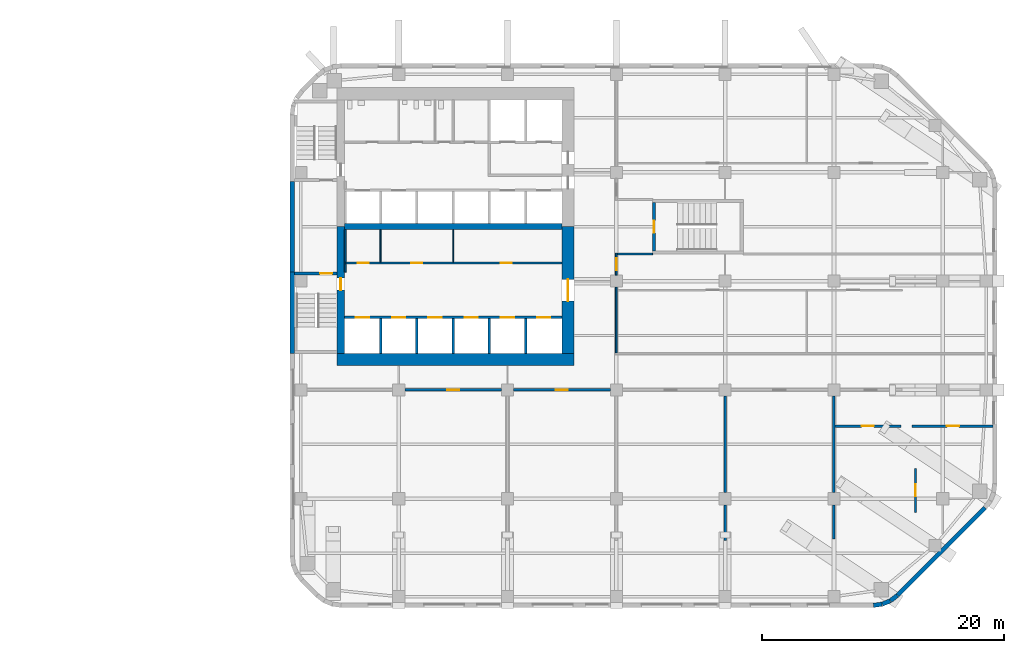
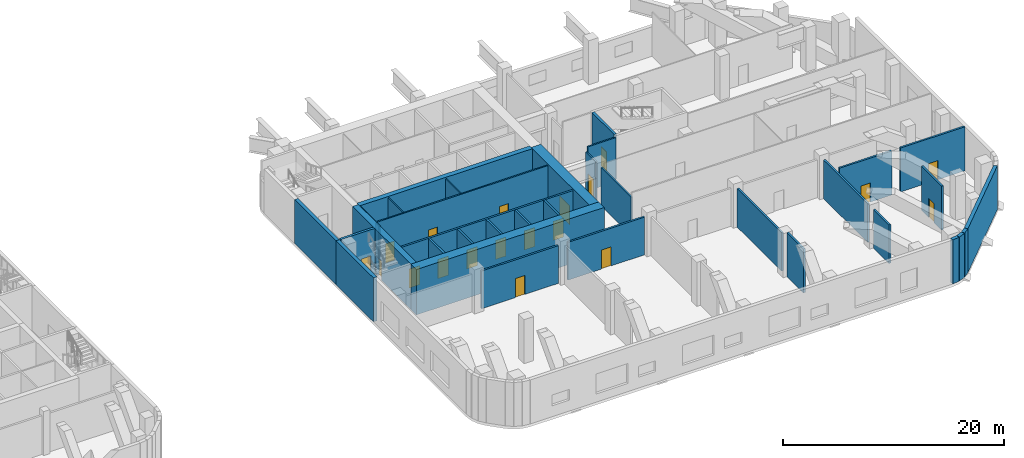
# One storey, part 8 of 14: 35 walls, 19 doors, 19 openings.
"""IFC4 building model written with IfcOpenShell, lengths in metres."""

from ifc_helpers import new_model, si_unit, direction, frame, frame_2d, origin, place, context, subcontext, project, spatial, rectangle, extrude, material, layer, layer_set, type_object, element, fill, save


model = new_model("IFC4")

# Units and contexts
model_context = context("Model", 3, precision=1e-05, world=origin(), true_north=direction((0.0, 1.0)))
body_context = subcontext(model_context, "Body", "Model", "MODEL_VIEW")
ifc_project = project(units=[si_unit("LENGTHUNIT", "METRE"), si_unit("AREAUNIT", "SQUARE_METRE"), si_unit("VOLUMEUNIT", "CUBIC_METRE"), si_unit("PLANEANGLEUNIT", "RADIAN"), si_unit("MASSUNIT", "GRAM", prefix="KILO")], contexts=[model_context])

# Site, building, storey
site_placement = place(None, origin())
site = spatial("IfcSite", under=ifc_project, at=site_placement, CompositionType="ELEMENT")
building_placement = place(site_placement, origin())
building = spatial("IfcBuilding", under=site, at=building_placement, Name="Cinnabar Reach Civic Tower", CompositionType="ELEMENT")
storey_placement = place(building_placement, frame((0.0, 0.0, 95.0)))
storey = spatial("IfcBuildingStorey", under=building, at=storey_placement, Name="L22", CompositionType="ELEMENT", Elevation=95.0)

# Walls
ifc_material_1 = material(Name="Facing brick with insulated backing", Category="masonry")
ifc_layer_1 = layer(ifc_material_1, 0.36)
ifc_layer_set_1 = layer_set([ifc_layer_1], Name="Brick corner wall")
wall_type_1 = type_object("IfcWallType", Name="Brick corner wall", PredefinedType="STANDARD", material=ifc_layer_set_1)
for number, where, z_axis, x_axis, name in (
    (1, (48.2686, 0.183, 0.0), (0.0, 0.0, 1.0), (0.99144092581, 0.13055608231, 0.0), "Brick corner wall"),
    (2, (48.9973, 0.2819, 0.0), (0.0, 0.0, 1.0), (0.923871547278, 0.382702709855, 0.0), "Brick corner wall"),
):
    element("IfcWall", number, at=place(storey_placement, frame(where, z_axis=z_axis, x_axis=x_axis)), inside=storey, type_object=wall_type_1, Name=name, PredefinedType="STANDARD", context=body_context, shape_type="SweptSolid", body=[
        extrude(rectangle(XDim=0.7131, YDim=0.36, at=frame_2d((0.3565, 0.0))), origin(), (0.0, 0.0, 1.0), 4.85),
    ])
wall_1_placement = place(storey_placement, frame((49.6755, 0.566, 0.0), z_axis=(0.0, 0.0, 1.0), x_axis=(0.793321924995, 0.608802368033, 0.0)))
element("IfcWall", 3, at=wall_1_placement, inside=storey, type_object=wall_type_1, Name="Brick corner wall", PredefinedType="STANDARD", context=body_context, shape_type="SweptSolid", body=[
    extrude(rectangle(XDim=0.7132, YDim=0.36, at=frame_2d((0.3566, 0.0))), origin(), (0.0, 0.0, 1.0), 4.85),
])
ifc_layer_2 = layer(ifc_material_1, 0.36)
ifc_layer_set_2 = layer_set([ifc_layer_2], Name="Brick pier and spandrel wall")
wall_type_2 = type_object("IfcWallType", Name="Brick pier and spandrel wall", PredefinedType="STANDARD", material=ifc_layer_set_2)
wall_2_placement = place(storey_placement, frame((50.2514, 1.006, 0.0), z_axis=(0.0, 0.0, 1.0), x_axis=(0.707106781187, 0.707106781187, 0.0)))
element("IfcWall", 4, at=wall_2_placement, inside=storey, type_object=wall_type_2, Name="Brick facade wall", PredefinedType="STANDARD", context=body_context, shape_type="SweptSolid", body=[
    extrude(rectangle(XDim=10.2426, YDim=0.36, at=frame_2d((5.1213, 0.0))), origin(), (0.0, 0.0, 1.0), 4.85),
])
wall_3_placement = place(storey_placement, frame((0.18, 35.25, 0.0), z_axis=(0.0, 0.0, 1.0), x_axis=(0.0, -1.0, 0.0)))
element("IfcWall", 5, at=wall_3_placement, inside=storey, type_object=wall_type_2, Name="Brick facade wall", PredefinedType="STANDARD", context=body_context, shape_type="SweptSolid", body=[
    extrude(rectangle(XDim=7.5, YDim=0.36, at=frame_2d((3.75, 0.0))), origin(), (0.0, 0.0, 1.0), 4.85),
])
wall_4_placement = place(storey_placement, frame((0.18, 27.75, 0.0), z_axis=(0.0, 0.0, 1.0), x_axis=(0.0, -1.0, 0.0)))
element("IfcWall", 6, at=wall_4_placement, inside=storey, type_object=wall_type_2, Name="Brick facade wall", PredefinedType="STANDARD", context=body_context, shape_type="SweptSolid", body=[
    extrude(rectangle(XDim=6.75, YDim=0.36, at=frame_2d((3.375, 0.0))), origin(), (0.0, 0.0, 1.0), 4.85),
])
ifc_material_2 = material(Name="Concrete C70", Category="concrete")
ifc_layer_3 = layer(ifc_material_2, 1.0)
ifc_layer_set_3 = layer_set([ifc_layer_3], Name="Core wall 1000 EI 180")
wall_type_3 = type_object("IfcWallType", Name="Core wall 1000 EI 180", PredefinedType="SOLIDWALL", material=ifc_layer_set_3)
wall_5_placement = place(storey_placement, frame((3.9, 20.5, 0.0), z_axis=(0.0, 0.0, 1.0), x_axis=(1.0, 0.0, 0.0)))
element("IfcWall", 7, at=wall_5_placement, inside=storey, type_object=wall_type_3, Name="Core wall T1 L22 S", PredefinedType="SOLIDWALL", context=body_context, shape_type="SweptSolid", body=[
    extrude(rectangle(XDim=19.6, YDim=1.0, at=frame_2d((9.8, 0.0))), origin(), (0.0, 0.0, 1.0), 5.0),
])

# Wall, opening, door
wall_6_placement = place(storey_placement, frame((23.0, 21.0, 0.0), z_axis=(0.0, 0.0, 1.0), x_axis=(0.0, 1.0, 0.0)))
wall_6 = element("IfcWall", 8, at=wall_6_placement, inside=storey, type_object=wall_type_3, Name="Core wall T1 L22 E", PredefinedType="SOLIDWALL", context=body_context, shape_type="SweptSolid", body=[
    extrude(rectangle(XDim=10.5, YDim=1.0, at=frame_2d((5.25, 0.0))), origin(), (0.0, 0.0, 1.0), 5.0),
])
opening_1_placement = place(wall_6_placement, frame((4.35, 0.0, 0.0)))
opening_1 = element("IfcOpeningElement", 9, at=opening_1_placement, cuts=wall_6, Name="Opening D3892", PredefinedType="OPENING", context=body_context, shape_type="SweptSolid", body=[
    extrude(rectangle(XDim=1.8, YDim=2.1, at=frame_2d((0.9, 1.05))), frame((0.0, 0.51, 0.0), z_axis=(0.0, -1.0, 0.0), x_axis=(1.0, 0.0, 0.0)), (0.0, 0.0, 1.0), 1.02),
])
ifc_material_3 = material(Name="Timber door leaf in steel frame", Category="steel")
door_type_1 = type_object("IfcDoorType", Name="Double swing door 1800 x 2100 T1", OperationType="DOUBLE_DOOR_DOUBLE_SWING", PredefinedType="DOOR", material=ifc_material_3)
door_1_placement = place(opening_1_placement, origin())
door_1 = element("IfcDoor", 10, at=door_1_placement, inside=storey, type_object=door_type_1, Name="Door D3892", OperationType="DOUBLE_DOOR_DOUBLE_SWING", OverallHeight=2.1, OverallWidth=1.8, PredefinedType="DOOR", context=body_context, shape_type="SweptSolid", body=[
    extrude(rectangle(XDim=1.8, YDim=2.1, at=frame_2d((0.9, 1.05))), frame((0.0, 0.025, 0.0), z_axis=(0.0, -1.0, 0.0), x_axis=(1.0, 0.0, 0.0)), (0.0, 0.0, 1.0), 0.05),
])
fill(opening_1, door_1)

# Wall
ifc_material_4 = material(Name="Concrete C60", Category="concrete")
ifc_layer_4 = layer(ifc_material_4, 0.5)
ifc_layer_set_4 = layer_set([ifc_layer_4], Name="Core wall 500 EI 180")
wall_type_4 = type_object("IfcWallType", Name="Core wall 500 EI 180", PredefinedType="SOLIDWALL", material=ifc_layer_set_4)
wall_7_placement = place(storey_placement, frame((4.5, 31.5, 0.0), z_axis=(0.0, 0.0, 1.0), x_axis=(1.0, 0.0, 0.0)))
element("IfcWall", 11, at=wall_7_placement, inside=storey, type_object=wall_type_4, Name="Core spine wall T1 L22", PredefinedType="SOLIDWALL", context=body_context, shape_type="SweptSolid", body=[
    extrude(rectangle(XDim=18.0, YDim=0.5, at=frame_2d((9.0, 0.0))), origin(), (0.0, 0.0, 1.0), 5.0),
])

# Wall, opening, door
ifc_layer_5 = layer(ifc_material_2, 0.6)
ifc_layer_set_5 = layer_set([ifc_layer_5], Name="Core wall 600 EI 180")
wall_type_5 = type_object("IfcWallType", Name="Core wall 600 EI 180", PredefinedType="SOLIDWALL", material=ifc_layer_set_5)
wall_8_placement = place(storey_placement, frame((4.2, 31.5, 0.0), z_axis=(0.0, 0.0, 1.0), x_axis=(0.0, -1.0, 0.0)))
wall_8 = element("IfcWall", 12, at=wall_8_placement, inside=storey, type_object=wall_type_5, Name="Core wall T1 L22 W2", PredefinedType="SOLIDWALL", context=body_context, shape_type="SweptSolid", body=[
    extrude(rectangle(XDim=10.5, YDim=0.6, at=frame_2d((5.25, 0.0))), origin(), (0.0, 0.0, 1.0), 5.0),
])
opening_2_placement = place(wall_8_placement, frame((4.25, 0.0, 0.0)))
opening_2 = element("IfcOpeningElement", 13, at=opening_2_placement, cuts=wall_8, Name="Opening D3876", PredefinedType="OPENING", context=body_context, shape_type="SweptSolid", body=[
    extrude(rectangle(XDim=1.0, YDim=2.1, at=frame_2d((0.5, 1.05))), frame((0.0, 0.31, 0.0), z_axis=(0.0, -1.0, 0.0), x_axis=(1.0, 0.0, 0.0)), (0.0, 0.0, 1.0), 0.62),
])
door_type_2 = type_object("IfcDoorType", Name="Stair door 1000 x 2100 T1", OperationType="SINGLE_SWING_LEFT", PredefinedType="DOOR", material=ifc_material_3)
door_2_placement = place(opening_2_placement, frame((1.0, 0.0, 0.0), z_axis=(0.0, 0.0, 1.0), x_axis=(-1.0, 0.0, 0.0)))
door_2 = element("IfcDoor", 14, at=door_2_placement, inside=storey, type_object=door_type_2, Name="Door D3876", OperationType="SINGLE_SWING_RIGHT", OverallHeight=2.1, OverallWidth=1.0, PredefinedType="DOOR", context=body_context, shape_type="SweptSolid", body=[
    extrude(rectangle(XDim=1.0, YDim=2.1, at=frame_2d((0.5, 1.05))), frame((0.0, 0.025, 0.0), z_axis=(0.0, -1.0, 0.0), x_axis=(1.0, 0.0, 0.0)), (0.0, 0.0, 1.0), 0.05),
])
fill(opening_2, door_2)

# Wall, openings, doors
ifc_material_5 = material(Name="Gypsum board on steel studs, double layer", Category="steel")
ifc_layer_6 = layer(ifc_material_5, 0.15)
ifc_layer_set_6 = layer_set([ifc_layer_6], Name="Corridor wall 150 T1")
wall_type_6 = type_object("IfcWallType", Name="Corridor wall 150 T1", PredefinedType="PARTITIONING", material=ifc_layer_set_6)
wall_9_placement = place(storey_placement, frame((4.5, 28.5, 0.0), z_axis=(0.0, 0.0, 1.0), x_axis=(1.0, 0.0, 0.0)))
wall_9 = element("IfcWall", 15, at=wall_9_placement, inside=storey, type_object=wall_type_6, Name="Corridor wall 37", PredefinedType="PARTITIONING", context=body_context, shape_type="SweptSolid", body=[
    extrude(rectangle(XDim=18.0, YDim=0.15, at=frame_2d((9.0, 0.0))), origin(), (0.0, 0.0, 1.0), 4.85),
])
opening_3_placement = place(wall_9_placement, frame((1.1, 0.0, 0.0)))
opening_3 = element("IfcOpeningElement", 16, at=opening_3_placement, cuts=wall_9, Name="Opening D3896", PredefinedType="OPENING", context=body_context, shape_type="SweptSolid", body=[
    extrude(rectangle(XDim=0.9, YDim=2.1, at=frame_2d((0.45, 1.05))), frame((0.0, 0.085, 0.0), z_axis=(0.0, -1.0, 0.0), x_axis=(1.0, 0.0, 0.0)), (0.0, 0.0, 1.0), 0.17),
])
opening_4_placement = place(wall_9_placement, frame((5.55, 0.0, 0.0)))
opening_4 = element("IfcOpeningElement", 17, at=opening_4_placement, cuts=wall_9, Name="Opening D3897", PredefinedType="OPENING", context=body_context, shape_type="SweptSolid", body=[
    extrude(rectangle(XDim=0.9, YDim=2.1, at=frame_2d((0.45, 1.05))), frame((0.0, 0.085, 0.0), z_axis=(0.0, -1.0, 0.0), x_axis=(1.0, 0.0, 0.0)), (0.0, 0.0, 1.0), 0.17),
])
opening_5_placement = place(wall_9_placement, frame((12.95, 0.0, 0.0)))
opening_5 = element("IfcOpeningElement", 18, at=opening_5_placement, cuts=wall_9, Name="Opening D3898", PredefinedType="OPENING", context=body_context, shape_type="SweptSolid", body=[
    extrude(rectangle(XDim=0.9, YDim=2.1, at=frame_2d((0.45, 1.05))), frame((0.0, 0.085, 0.0), z_axis=(0.0, -1.0, 0.0), x_axis=(1.0, 0.0, 0.0)), (0.0, 0.0, 1.0), 0.17),
])
door_type_3 = type_object("IfcDoorType", Name="Single swing door 900 x 2100 corridor T1", OperationType="SINGLE_SWING_LEFT", PredefinedType="DOOR", material=ifc_material_3)
door_3_placement = place(opening_3_placement, origin())
door_3 = element("IfcDoor", 19, at=door_3_placement, inside=storey, type_object=door_type_3, Name="Door D3896", OperationType="SINGLE_SWING_LEFT", OverallHeight=2.1, OverallWidth=0.9, PredefinedType="DOOR", context=body_context, shape_type="SweptSolid", body=[
    extrude(rectangle(XDim=0.9, YDim=2.1, at=frame_2d((0.45, 1.05))), frame((0.0, 0.025, 0.0), z_axis=(0.0, -1.0, 0.0), x_axis=(1.0, 0.0, 0.0)), (0.0, 0.0, 1.0), 0.05),
])
fill(opening_3, door_3)
door_4_placement = place(opening_4_placement, origin())
door_4 = element("IfcDoor", 20, at=door_4_placement, inside=storey, type_object=door_type_3, Name="Door D3897", OperationType="SINGLE_SWING_LEFT", OverallHeight=2.1, OverallWidth=0.9, PredefinedType="DOOR", context=body_context, shape_type="SweptSolid", body=[
    extrude(rectangle(XDim=0.9, YDim=2.1, at=frame_2d((0.45, 1.05))), frame((0.0, 0.025, 0.0), z_axis=(0.0, -1.0, 0.0), x_axis=(1.0, 0.0, 0.0)), (0.0, 0.0, 1.0), 0.05),
])
fill(opening_4, door_4)
door_5_placement = place(opening_5_placement, origin())
door_5 = element("IfcDoor", 21, at=door_5_placement, inside=storey, type_object=door_type_3, Name="Door D3898", OperationType="SINGLE_SWING_LEFT", OverallHeight=2.1, OverallWidth=0.9, PredefinedType="DOOR", context=body_context, shape_type="SweptSolid", body=[
    extrude(rectangle(XDim=0.9, YDim=2.1, at=frame_2d((0.45, 1.05))), frame((0.0, 0.025, 0.0), z_axis=(0.0, -1.0, 0.0), x_axis=(1.0, 0.0, 0.0)), (0.0, 0.0, 1.0), 0.05),
])
fill(opening_5, door_5)

# Wall
wall_10_placement = place(storey_placement, frame((27.0, 21.075, 0.0), z_axis=(0.0, 0.0, 1.0), x_axis=(0.0, 1.0, 0.0)))
element("IfcWall", 22, at=wall_10_placement, inside=storey, type_object=wall_type_6, Name="Corridor wall 41", PredefinedType="PARTITIONING", context=body_context, shape_type="SweptSolid", body=[
    extrude(rectangle(XDim=5.425, YDim=0.15, at=frame_2d((2.7125, 0.0))), origin(), (0.0, 0.0, 1.0), 4.256),
])

# Wall, opening, door
wall_11_placement = place(storey_placement, frame((27.0, 27.5, 0.0), z_axis=(0.0, 0.0, 1.0), x_axis=(0.0, 1.0, 0.0)))
wall_11 = element("IfcWall", 23, at=wall_11_placement, inside=storey, type_object=wall_type_6, Name="Corridor wall 42", PredefinedType="PARTITIONING", context=body_context, shape_type="SweptSolid", body=[
    extrude(rectangle(XDim=1.825, YDim=0.15, at=frame_2d((0.9125, 0.0))), origin(), (0.0, 0.0, 1.0), 4.256),
])
opening_6_placement = place(wall_11_placement, frame((0.4, 0.0, 0.0)))
opening_6 = element("IfcOpeningElement", 24, at=opening_6_placement, cuts=wall_11, Name="Opening D3906", PredefinedType="OPENING", context=body_context, shape_type="SweptSolid", body=[
    extrude(rectangle(XDim=1.0, YDim=2.1, at=frame_2d((0.5, 1.05))), frame((0.0, 0.085, 0.0), z_axis=(0.0, -1.0, 0.0), x_axis=(1.0, 0.0, 0.0)), (0.0, 0.0, 1.0), 0.17),
])
door_type_4 = type_object("IfcDoorType", Name="Plant room door 1000 x 2100 T1", OperationType="SINGLE_SWING_LEFT", PredefinedType="DOOR", material=ifc_material_3)
door_6_placement = place(opening_6_placement, frame((1.0, 0.0, 0.0), z_axis=(0.0, 0.0, 1.0), x_axis=(-1.0, 0.0, 0.0)))
door_6 = element("IfcDoor", 25, at=door_6_placement, inside=storey, type_object=door_type_4, Name="Door D3906", OperationType="SINGLE_SWING_LEFT", OverallHeight=2.1, OverallWidth=1.0, PredefinedType="DOOR", context=body_context, shape_type="SweptSolid", body=[
    extrude(rectangle(XDim=1.0, YDim=2.1, at=frame_2d((0.5, 1.05))), frame((0.0, 0.025, 0.0), z_axis=(0.0, -1.0, 0.0), x_axis=(1.0, 0.0, 0.0)), (0.0, 0.0, 1.0), 0.05),
])
fill(opening_6, door_6)

# Walls
wall_12_placement = place(storey_placement, frame((4.575, 27.75, 0.0), z_axis=(0.0, 0.0, 1.0), x_axis=(0.0, 1.0, 0.0)))
element("IfcWall", 26, at=wall_12_placement, inside=storey, type_object=wall_type_6, Name="Corridor wall 43", PredefinedType="PARTITIONING", context=body_context, shape_type="SweptSolid", body=[
    extrude(rectangle(XDim=0.675, YDim=0.15, at=frame_2d((0.3375, 0.0))), origin(), (0.0, 0.0, 1.0), 4.85),
])
wall_13_placement = place(storey_placement, frame((4.575, 28.575, 0.0), z_axis=(0.0, 0.0, 1.0), x_axis=(0.0, 1.0, 0.0)))
element("IfcWall", 27, at=wall_13_placement, inside=storey, type_object=wall_type_6, Name="Corridor wall 44", PredefinedType="PARTITIONING", context=body_context, shape_type="SweptSolid", body=[
    extrude(rectangle(XDim=2.675, YDim=0.15, at=frame_2d((1.3375, 0.0))), origin(), (0.0, 0.0, 1.0), 4.85),
])
wall_14_placement = place(storey_placement, frame((27.075, 29.25, 0.0), z_axis=(0.0, 0.0, 1.0), x_axis=(1.0, 0.0, 0.0)))
element("IfcWall", 28, at=wall_14_placement, inside=storey, type_object=wall_type_6, Name="Corridor wall 45", PredefinedType="PARTITIONING", context=body_context, shape_type="SweptSolid", body=[
    extrude(rectangle(XDim=2.925, YDim=0.15, at=frame_2d((1.4625, 0.0))), origin(), (0.0, 0.0, 1.0), 4.85),
])

# Wall, openings, doors
ifc_material_6 = material(Name="Blockwork", Category="masonry")
ifc_layer_7 = layer(ifc_material_6, 0.2)
ifc_layer_set_7 = layer_set([ifc_layer_7], Name="Lift shaft wall 200 T1")
wall_type_7 = type_object("IfcWallType", Name="Lift shaft wall 200 T1", PredefinedType="PARTITIONING", material=ifc_layer_set_7)
wall_15_placement = place(storey_placement, frame((4.5, 24.0, 0.0), z_axis=(0.0, 0.0, 1.0), x_axis=(1.0, 0.0, 0.0)))
wall_15 = element("IfcWall", 29, at=wall_15_placement, inside=storey, type_object=wall_type_7, Name="Lift shaft wall 21", PredefinedType="PARTITIONING", context=body_context, shape_type="SweptSolid", body=[
    extrude(rectangle(XDim=18.0, YDim=0.2, at=frame_2d((9.0, 0.0))), origin(), (0.0, 0.0, 1.0), 4.85),
])
opening_7_placement = place(wall_15_placement, frame((0.95, 0.0, 0.0)))
opening_7 = element("IfcOpeningElement", 30, at=opening_7_placement, cuts=wall_15, Name="Opening D3880", PredefinedType="OPENING", context=body_context, shape_type="SweptSolid", body=[
    extrude(rectangle(XDim=1.1, YDim=2.1, at=frame_2d((0.55, 1.05))), frame((0.0, 0.11, 0.0), z_axis=(0.0, -1.0, 0.0), x_axis=(1.0, 0.0, 0.0)), (0.0, 0.0, 1.0), 0.22),
])
opening_8_placement = place(wall_15_placement, frame((3.95, 0.0, 0.0)))
opening_8 = element("IfcOpeningElement", 31, at=opening_8_placement, cuts=wall_15, Name="Opening D3881", PredefinedType="OPENING", context=body_context, shape_type="SweptSolid", body=[
    extrude(rectangle(XDim=1.1, YDim=2.1, at=frame_2d((0.55, 1.05))), frame((0.0, 0.11, 0.0), z_axis=(0.0, -1.0, 0.0), x_axis=(1.0, 0.0, 0.0)), (0.0, 0.0, 1.0), 0.22),
])
opening_9_placement = place(wall_15_placement, frame((6.95, 0.0, 0.0)))
opening_9 = element("IfcOpeningElement", 32, at=opening_9_placement, cuts=wall_15, Name="Opening D3882", PredefinedType="OPENING", context=body_context, shape_type="SweptSolid", body=[
    extrude(rectangle(XDim=1.1, YDim=2.1, at=frame_2d((0.55, 1.05))), frame((0.0, 0.11, 0.0), z_axis=(0.0, -1.0, 0.0), x_axis=(1.0, 0.0, 0.0)), (0.0, 0.0, 1.0), 0.22),
])
opening_10_placement = place(wall_15_placement, frame((9.95, 0.0, 0.0)))
opening_10 = element("IfcOpeningElement", 33, at=opening_10_placement, cuts=wall_15, Name="Opening D3883", PredefinedType="OPENING", context=body_context, shape_type="SweptSolid", body=[
    extrude(rectangle(XDim=1.1, YDim=2.1, at=frame_2d((0.55, 1.05))), frame((0.0, 0.11, 0.0), z_axis=(0.0, -1.0, 0.0), x_axis=(1.0, 0.0, 0.0)), (0.0, 0.0, 1.0), 0.22),
])
opening_11_placement = place(wall_15_placement, frame((12.95, 0.0, 0.0)))
opening_11 = element("IfcOpeningElement", 34, at=opening_11_placement, cuts=wall_15, Name="Opening D3884", PredefinedType="OPENING", context=body_context, shape_type="SweptSolid", body=[
    extrude(rectangle(XDim=1.1, YDim=2.1, at=frame_2d((0.55, 1.05))), frame((0.0, 0.11, 0.0), z_axis=(0.0, -1.0, 0.0), x_axis=(1.0, 0.0, 0.0)), (0.0, 0.0, 1.0), 0.22),
])
opening_12_placement = place(wall_15_placement, frame((15.95, 0.0, 0.0)))
opening_12 = element("IfcOpeningElement", 35, at=opening_12_placement, cuts=wall_15, Name="Opening D3885", PredefinedType="OPENING", context=body_context, shape_type="SweptSolid", body=[
    extrude(rectangle(XDim=1.1, YDim=2.1, at=frame_2d((0.55, 1.05))), frame((0.0, 0.11, 0.0), z_axis=(0.0, -1.0, 0.0), x_axis=(1.0, 0.0, 0.0)), (0.0, 0.0, 1.0), 0.22),
])
ifc_material_7 = material(Name="Stainless steel sliding door", Category="steel")
door_type_5 = type_object("IfcDoorType", Name="Lift landing door 1100 x 2100 T1", OperationType="SLIDING_TO_LEFT", PredefinedType="DOOR", material=ifc_material_7)
door_7_placement = place(opening_7_placement, origin())
door_7 = element("IfcDoor", 36, at=door_7_placement, inside=storey, type_object=door_type_5, Name="Lift landing door LR1 L22", OperationType="SLIDING_TO_LEFT", OverallHeight=2.1, OverallWidth=1.1, PredefinedType="DOOR", context=body_context, shape_type="SweptSolid", body=[
    extrude(rectangle(XDim=1.1, YDim=2.1, at=frame_2d((0.55, 1.05))), frame((0.0, 0.025, 0.0), z_axis=(0.0, -1.0, 0.0), x_axis=(1.0, 0.0, 0.0)), (0.0, 0.0, 1.0), 0.05),
])
fill(opening_7, door_7)
door_8_placement = place(opening_8_placement, origin())
door_8 = element("IfcDoor", 37, at=door_8_placement, inside=storey, type_object=door_type_5, Name="Lift landing door LR2 L22", OperationType="SLIDING_TO_LEFT", OverallHeight=2.1, OverallWidth=1.1, PredefinedType="DOOR", context=body_context, shape_type="SweptSolid", body=[
    extrude(rectangle(XDim=1.1, YDim=2.1, at=frame_2d((0.55, 1.05))), frame((0.0, 0.025, 0.0), z_axis=(0.0, -1.0, 0.0), x_axis=(1.0, 0.0, 0.0)), (0.0, 0.0, 1.0), 0.05),
])
fill(opening_8, door_8)
door_9_placement = place(opening_9_placement, origin())
door_9 = element("IfcDoor", 38, at=door_9_placement, inside=storey, type_object=door_type_5, Name="Lift landing door LR3 L22", OperationType="SLIDING_TO_LEFT", OverallHeight=2.1, OverallWidth=1.1, PredefinedType="DOOR", context=body_context, shape_type="SweptSolid", body=[
    extrude(rectangle(XDim=1.1, YDim=2.1, at=frame_2d((0.55, 1.05))), frame((0.0, 0.025, 0.0), z_axis=(0.0, -1.0, 0.0), x_axis=(1.0, 0.0, 0.0)), (0.0, 0.0, 1.0), 0.05),
])
fill(opening_9, door_9)
door_10_placement = place(opening_10_placement, origin())
door_10 = element("IfcDoor", 39, at=door_10_placement, inside=storey, type_object=door_type_5, Name="Lift landing door LR4 L22", OperationType="SLIDING_TO_LEFT", OverallHeight=2.1, OverallWidth=1.1, PredefinedType="DOOR", context=body_context, shape_type="SweptSolid", body=[
    extrude(rectangle(XDim=1.1, YDim=2.1, at=frame_2d((0.55, 1.05))), frame((0.0, 0.025, 0.0), z_axis=(0.0, -1.0, 0.0), x_axis=(1.0, 0.0, 0.0)), (0.0, 0.0, 1.0), 0.05),
])
fill(opening_10, door_10)
door_11_placement = place(opening_11_placement, origin())
door_11 = element("IfcDoor", 40, at=door_11_placement, inside=storey, type_object=door_type_5, Name="Lift landing door LR5 L22", OperationType="SLIDING_TO_LEFT", OverallHeight=2.1, OverallWidth=1.1, PredefinedType="DOOR", context=body_context, shape_type="SweptSolid", body=[
    extrude(rectangle(XDim=1.1, YDim=2.1, at=frame_2d((0.55, 1.05))), frame((0.0, 0.025, 0.0), z_axis=(0.0, -1.0, 0.0), x_axis=(1.0, 0.0, 0.0)), (0.0, 0.0, 1.0), 0.05),
])
fill(opening_11, door_11)
door_12_placement = place(opening_12_placement, origin())
door_12 = element("IfcDoor", 41, at=door_12_placement, inside=storey, type_object=door_type_5, Name="Lift landing door LR6 L22", OperationType="SLIDING_TO_LEFT", OverallHeight=2.1, OverallWidth=1.1, PredefinedType="DOOR", context=body_context, shape_type="SweptSolid", body=[
    extrude(rectangle(XDim=1.1, YDim=2.1, at=frame_2d((0.55, 1.05))), frame((0.0, 0.025, 0.0), z_axis=(0.0, -1.0, 0.0), x_axis=(1.0, 0.0, 0.0)), (0.0, 0.0, 1.0), 0.05),
])
fill(opening_12, door_12)

# Walls
for number, where, z_axis, x_axis, name in (
    (42, (7.5, 21.0, 0.0), (0.0, 0.0, 1.0), (0.0, 1.0, 0.0), "Lift shaft wall 26"),
    (43, (10.5, 21.0, 0.0), (0.0, 0.0, 1.0), (0.0, 1.0, 0.0), "Lift shaft wall 28"),
    (44, (13.5, 21.0, 0.0), (0.0, 0.0, 1.0), (0.0, 1.0, 0.0), "Lift shaft wall 30"),
    (45, (16.5, 21.0, 0.0), (0.0, 0.0, 1.0), (0.0, 1.0, 0.0), "Lift shaft wall 32"),
    (46, (19.5, 21.0, 0.0), (0.0, 0.0, 1.0), (0.0, 1.0, 0.0), "Lift shaft wall 34"),
):
    element("IfcWall", number, at=place(storey_placement, frame(where, z_axis=z_axis, x_axis=x_axis)), inside=storey, type_object=wall_type_7, Name=name, PredefinedType="PARTITIONING", context=body_context, shape_type="SweptSolid", body=[
        extrude(rectangle(XDim=2.9, YDim=0.2, at=frame_2d((1.45, 0.0))), origin(), (0.0, 0.0, 1.0), 4.85),
    ])
ifc_material_8 = material(Name="Gypsum board on steel studs", Category="steel")
ifc_layer_8 = layer(ifc_material_8, 0.1)
ifc_layer_set_8 = layer_set([ifc_layer_8], Name="Partition wall 100 T1")
wall_type_8 = type_object("IfcWallType", Name="Partition wall 100 T1", PredefinedType="PARTITIONING", material=ifc_layer_set_8)
for number, where, z_axis, x_axis, name in (
    (47, (7.5, 28.575, 0.0), (0.0, 0.0, 1.0), (0.0, 1.0, 0.0), "Partition wall 56"),
    (48, (13.5, 28.575, 0.0), (0.0, 0.0, 1.0), (0.0, 1.0, 0.0), "Partition wall 57"),
):
    element("IfcWall", number, at=place(storey_placement, frame(where, z_axis=z_axis, x_axis=x_axis)), inside=storey, type_object=wall_type_8, Name=name, PredefinedType="PARTITIONING", context=body_context, shape_type="SweptSolid", body=[
        extrude(rectangle(XDim=2.675, YDim=0.1, at=frame_2d((1.3375, 0.0))), origin(), (0.0, 0.0, 1.0), 4.85),
    ])

# Wall, opening, door
ifc_material_9 = material(Name="Concrete C40", Category="concrete")
ifc_layer_9 = layer(ifc_material_9, 0.2)
ifc_layer_set_9 = layer_set([ifc_layer_9], Name="Refuge compartment wall 200 T1")
wall_type_9 = type_object("IfcWallType", Name="Refuge compartment wall 200 T1", PredefinedType="PARTITIONING", material=ifc_layer_set_9)
wall_16_placement = place(storey_placement, frame((18.5, 18.0, 0.0), z_axis=(0.0, 0.0, 1.0), x_axis=(1.0, 0.0, 0.0)))
wall_16 = element("IfcWall", 49, at=wall_16_placement, inside=storey, type_object=wall_type_9, Name="Refuge compartment wall 4", PredefinedType="PARTITIONING", context=body_context, shape_type="SweptSolid", body=[
    extrude(rectangle(XDim=8.0, YDim=0.2, at=frame_2d((4.0, 0.0))), origin(), (0.0, 0.0, 1.0), 4.158),
])
opening_13_placement = place(wall_16_placement, frame((3.5, 0.0, 0.0)))
opening_13 = element("IfcOpeningElement", 50, at=opening_13_placement, cuts=wall_16, Name="Opening D3910", PredefinedType="OPENING", context=body_context, shape_type="SweptSolid", body=[
    extrude(rectangle(XDim=1.0, YDim=2.1, at=frame_2d((0.5, 1.05))), frame((0.0, 0.11, 0.0), z_axis=(0.0, -1.0, 0.0), x_axis=(1.0, 0.0, 0.0)), (0.0, 0.0, 1.0), 0.22),
])
door_type_6 = type_object("IfcDoorType", Name="Refuge door 1000 x 2100 T1", OperationType="SINGLE_SWING_LEFT", PredefinedType="DOOR", material=ifc_material_3)
door_13_placement = place(opening_13_placement, frame((1.0, 0.0, 0.0), z_axis=(0.0, 0.0, 1.0), x_axis=(-1.0, 0.0, 0.0)))
door_13 = element("IfcDoor", 51, at=door_13_placement, inside=storey, type_object=door_type_6, Name="Door D3910", OperationType="SINGLE_SWING_LEFT", OverallHeight=2.1, OverallWidth=1.0, PredefinedType="DOOR", context=body_context, shape_type="SweptSolid", body=[
    extrude(rectangle(XDim=1.0, YDim=2.1, at=frame_2d((0.5, 1.05))), frame((0.0, 0.025, 0.0), z_axis=(0.0, -1.0, 0.0), x_axis=(1.0, 0.0, 0.0)), (0.0, 0.0, 1.0), 0.05),
])
fill(opening_13, door_13)

wall_17_placement = place(storey_placement, frame((9.5, 18.0, 0.0), z_axis=(0.0, 0.0, 1.0), x_axis=(1.0, 0.0, 0.0)))
wall_17 = element("IfcWall", 52, at=wall_17_placement, inside=storey, type_object=wall_type_9, Name="Refuge compartment wall 5", PredefinedType="PARTITIONING", context=body_context, shape_type="SweptSolid", body=[
    extrude(rectangle(XDim=8.0, YDim=0.2, at=frame_2d((4.0, 0.0))), origin(), (0.0, 0.0, 1.0), 4.158),
])
opening_14_placement = place(wall_17_placement, frame((3.5, 0.0, 0.0)))
opening_14 = element("IfcOpeningElement", 53, at=opening_14_placement, cuts=wall_17, Name="Opening D3909", PredefinedType="OPENING", context=body_context, shape_type="SweptSolid", body=[
    extrude(rectangle(XDim=1.0, YDim=2.1, at=frame_2d((0.5, 1.05))), frame((0.0, 0.11, 0.0), z_axis=(0.0, -1.0, 0.0), x_axis=(1.0, 0.0, 0.0)), (0.0, 0.0, 1.0), 0.22),
])
door_14_placement = place(opening_14_placement, origin())
door_14 = element("IfcDoor", 54, at=door_14_placement, inside=storey, type_object=door_type_6, Name="Door D3909", OperationType="SINGLE_SWING_LEFT", OverallHeight=2.1, OverallWidth=1.0, PredefinedType="DOOR", context=body_context, shape_type="SweptSolid", body=[
    extrude(rectangle(XDim=1.0, YDim=2.1, at=frame_2d((0.5, 1.05))), frame((0.0, 0.025, 0.0), z_axis=(0.0, -1.0, 0.0), x_axis=(1.0, 0.0, 0.0)), (0.0, 0.0, 1.0), 0.05),
])
fill(opening_14, door_14)

# Walls
wall_18_placement = place(storey_placement, frame((36.0, 5.5392, 0.0), z_axis=(0.0, 0.0, 1.0), x_axis=(0.0, 1.0, 0.0)))
element("IfcWall", 55, at=wall_18_placement, inside=storey, type_object=wall_type_9, Name="Refuge compartment wall 11", PredefinedType="PARTITIONING", context=body_context, shape_type="SweptSolid", body=[
    extrude(rectangle(XDim=2.9608, YDim=0.2, at=frame_2d((1.4804, 0.0))), origin(), (0.0, 0.0, 1.0), 4.85),
])
wall_19_placement = place(storey_placement, frame((36.0, 9.5, 0.0), z_axis=(0.0, 0.0, 1.0), x_axis=(0.0, 1.0, 0.0)))
element("IfcWall", 56, at=wall_19_placement, inside=storey, type_object=wall_type_9, Name="Refuge compartment wall 12", PredefinedType="PARTITIONING", context=body_context, shape_type="SweptSolid", body=[
    extrude(rectangle(XDim=8.0, YDim=0.2, at=frame_2d((4.0, 0.0))), origin(), (0.0, 0.0, 1.0), 4.256),
])
wall_20_placement = place(storey_placement, frame((45.0, 5.6808, 0.0), z_axis=(0.0, 0.0, 1.0), x_axis=(0.0, 1.0, 0.0)))
element("IfcWall", 57, at=wall_20_placement, inside=storey, type_object=wall_type_9, Name="Refuge compartment wall 13", PredefinedType="PARTITIONING", context=body_context, shape_type="SweptSolid", body=[
    extrude(rectangle(XDim=2.8192, YDim=0.2, at=frame_2d((1.4096, 0.0))), origin(), (0.0, 0.0, 1.0), 4.254),
])
wall_21_placement = place(storey_placement, frame((45.0, 9.5, 0.0), z_axis=(0.0, 0.0, 1.0), x_axis=(0.0, 1.0, 0.0)))
element("IfcWall", 58, at=wall_21_placement, inside=storey, type_object=wall_type_9, Name="Refuge compartment wall 14", PredefinedType="PARTITIONING", context=body_context, shape_type="SweptSolid", body=[
    extrude(rectangle(XDim=8.0, YDim=0.2, at=frame_2d((4.0, 0.0))), origin(), (0.0, 0.0, 1.0), 4.256),
])

# Wall, opening, door
wall_22_placement = place(storey_placement, frame((45.1, 15.0, 0.0), z_axis=(0.0, 0.0, 1.0), x_axis=(1.0, 0.0, 0.0)))
wall_22 = element("IfcWall", 59, at=wall_22_placement, inside=storey, type_object=wall_type_9, Name="Refuge compartment wall 15", PredefinedType="PARTITIONING", context=body_context, shape_type="SweptSolid", body=[
    extrude(rectangle(XDim=5.4275, YDim=0.2, at=frame_2d((2.7138, 0.0))), origin(), (0.0, 0.0, 1.0), 4.85),
])
opening_15_placement = place(wall_22_placement, frame((2.2, 0.0, 0.0)))
opening_15 = element("IfcOpeningElement", 60, at=opening_15_placement, cuts=wall_22, Name="Opening D3914", PredefinedType="OPENING", context=body_context, shape_type="SweptSolid", body=[
    extrude(rectangle(XDim=1.0, YDim=2.1, at=frame_2d((0.5, 1.05))), frame((0.0, 0.11, 0.0), z_axis=(0.0, -1.0, 0.0), x_axis=(1.0, 0.0, 0.0)), (0.0, 0.0, 1.0), 0.22),
])
door_15_placement = place(opening_15_placement, origin())
door_15 = element("IfcDoor", 61, at=door_15_placement, inside=storey, type_object=door_type_6, Name="Door D3914", OperationType="SINGLE_SWING_RIGHT", OverallHeight=2.1, OverallWidth=1.0, PredefinedType="DOOR", context=body_context, shape_type="SweptSolid", body=[
    extrude(rectangle(XDim=1.0, YDim=2.1, at=frame_2d((0.5, 1.05))), frame((0.0, 0.025, 0.0), z_axis=(0.0, -1.0, 0.0), x_axis=(1.0, 0.0, 0.0)), (0.0, 0.0, 1.0), 0.05),
])
fill(opening_15, door_15)

wall_23_placement = place(storey_placement, frame((51.4432, 15.0, 0.0), z_axis=(0.0, 0.0, 1.0), x_axis=(1.0, 0.0, 0.0)))
wall_23 = element("IfcWall", 62, at=wall_23_placement, inside=storey, type_object=wall_type_9, Name="Refuge compartment wall 16", PredefinedType="PARTITIONING", context=body_context, shape_type="SweptSolid", body=[
    extrude(rectangle(XDim=6.6968, YDim=0.2, at=frame_2d((3.3484, 0.0))), origin(), (0.0, 0.0, 1.0), 4.85),
])
opening_16_placement = place(wall_23_placement, frame((2.9068, 0.0, 0.0)))
opening_16 = element("IfcOpeningElement", 63, at=opening_16_placement, cuts=wall_23, Name="Opening D3916", PredefinedType="OPENING", context=body_context, shape_type="SweptSolid", body=[
    extrude(rectangle(XDim=1.0, YDim=2.1, at=frame_2d((0.5, 1.05))), frame((0.0, 0.11, 0.0), z_axis=(0.0, -1.0, 0.0), x_axis=(1.0, 0.0, 0.0)), (0.0, 0.0, 1.0), 0.22),
])
door_16_placement = place(opening_16_placement, origin())
door_16 = element("IfcDoor", 64, at=door_16_placement, inside=storey, type_object=door_type_6, Name="Door D3916", OperationType="SINGLE_SWING_LEFT", OverallHeight=2.1, OverallWidth=1.0, PredefinedType="DOOR", context=body_context, shape_type="SweptSolid", body=[
    extrude(rectangle(XDim=1.0, YDim=2.1, at=frame_2d((0.5, 1.05))), frame((0.0, 0.025, 0.0), z_axis=(0.0, -1.0, 0.0), x_axis=(1.0, 0.0, 0.0)), (0.0, 0.0, 1.0), 0.05),
])
fill(opening_16, door_16)

wall_24_placement = place(storey_placement, frame((51.75, 7.8411, 0.0), z_axis=(0.0, 0.0, 1.0), x_axis=(0.0, 1.0, 0.0)))
wall_24 = element("IfcWall", 65, at=wall_24_placement, inside=storey, type_object=wall_type_9, Name="Refuge compartment wall 17", PredefinedType="PARTITIONING", context=body_context, shape_type="SweptSolid", body=[
    extrude(rectangle(XDim=3.6631, YDim=0.2, at=frame_2d((1.8316, 0.0))), origin(), (0.0, 0.0, 1.0), 4.85),
])
opening_17_placement = place(wall_24_placement, frame((1.35, 0.0, 0.0)))
opening_17 = element("IfcOpeningElement", 66, at=opening_17_placement, cuts=wall_24, Name="Opening D3915", PredefinedType="OPENING", context=body_context, shape_type="SweptSolid", body=[
    extrude(rectangle(XDim=1.0, YDim=2.1, at=frame_2d((0.5, 1.05))), frame((0.0, 0.11, 0.0), z_axis=(0.0, -1.0, 0.0), x_axis=(1.0, 0.0, 0.0)), (0.0, 0.0, 1.0), 0.22),
])
door_17_placement = place(opening_17_placement, origin())
door_17 = element("IfcDoor", 67, at=door_17_placement, inside=storey, type_object=door_type_6, Name="Door D3915", OperationType="SINGLE_SWING_LEFT", OverallHeight=2.1, OverallWidth=1.0, PredefinedType="DOOR", context=body_context, shape_type="SweptSolid", body=[
    extrude(rectangle(XDim=1.0, YDim=2.1, at=frame_2d((0.5, 1.05))), frame((0.0, 0.025, 0.0), z_axis=(0.0, -1.0, 0.0), x_axis=(1.0, 0.0, 0.0)), (0.0, 0.0, 1.0), 0.05),
])
fill(opening_17, door_17)

ifc_layer_10 = layer(ifc_material_4, 0.25)
ifc_layer_set_10 = layer_set([ifc_layer_10], Name="Stair shaft wall 250 EI 120")
wall_type_10 = type_object("IfcWallType", Name="Stair shaft wall 250 EI 120", PredefinedType="SOLIDWALL", material=ifc_layer_set_10)
wall_25_placement = place(storey_placement, frame((3.9, 27.625, 0.0), z_axis=(0.0, 0.0, 1.0), x_axis=(-1.0, 0.0, 0.0)))
wall_25 = element("IfcWall", 68, at=wall_25_placement, inside=storey, type_object=wall_type_10, Name="Stair shaft wall T1-S1 L22", PredefinedType="SOLIDWALL", context=body_context, shape_type="SweptSolid", body=[
    extrude(rectangle(XDim=3.54, YDim=0.25, at=frame_2d((1.77, 0.0))), origin(), (0.0, 0.0, 1.0), 5.0),
])
opening_18_placement = place(wall_25_placement, frame((0.4, 0.0, 0.0)))
opening_18 = element("IfcOpeningElement", 69, at=opening_18_placement, cuts=wall_25, Name="Opening D3877", PredefinedType="OPENING", context=body_context, shape_type="SweptSolid", body=[
    extrude(rectangle(XDim=1.0, YDim=2.1, at=frame_2d((0.5, 1.05))), frame((0.0, 0.135, 0.0), z_axis=(0.0, -1.0, 0.0), x_axis=(1.0, 0.0, 0.0)), (0.0, 0.0, 1.0), 0.27),
])
door_18_placement = place(opening_18_placement, origin())
door_18 = element("IfcDoor", 70, at=door_18_placement, inside=storey, type_object=door_type_2, Name="Door D3877", OperationType="SINGLE_SWING_LEFT", OverallHeight=2.1, OverallWidth=1.0, PredefinedType="DOOR", context=body_context, shape_type="SweptSolid", body=[
    extrude(rectangle(XDim=1.0, YDim=2.1, at=frame_2d((0.5, 1.05))), frame((0.0, 0.025, 0.0), z_axis=(0.0, -1.0, 0.0), x_axis=(1.0, 0.0, 0.0)), (0.0, 0.0, 1.0), 0.05),
])
fill(opening_18, door_18)

wall_26_placement = place(storey_placement, frame((30.125, 33.5, 0.0), z_axis=(0.0, 0.0, 1.0), x_axis=(0.0, -1.0, 0.0)))
wall_26 = element("IfcWall", 71, at=wall_26_placement, inside=storey, type_object=wall_type_10, Name="Stair shaft wall T1-S3 L22", PredefinedType="SOLIDWALL", context=body_context, shape_type="SweptSolid", body=[
    extrude(rectangle(XDim=4.0, YDim=0.25, at=frame_2d((2.0, 0.0))), origin(), (0.0, 0.0, 1.0), 5.0),
])
opening_19_placement = place(wall_26_placement, frame((1.5, 0.0, 0.0)))
opening_19 = element("IfcOpeningElement", 72, at=opening_19_placement, cuts=wall_26, Name="Opening D3895", PredefinedType="OPENING", context=body_context, shape_type="SweptSolid", body=[
    extrude(rectangle(XDim=1.0, YDim=2.1, at=frame_2d((0.5, 1.05))), frame((0.0, 0.135, 0.0), z_axis=(0.0, -1.0, 0.0), x_axis=(1.0, 0.0, 0.0)), (0.0, 0.0, 1.0), 0.27),
])
door_19_placement = place(opening_19_placement, origin())
door_19 = element("IfcDoor", 73, at=door_19_placement, inside=storey, type_object=door_type_2, Name="Door D3895", OperationType="SINGLE_SWING_RIGHT", OverallHeight=2.1, OverallWidth=1.0, PredefinedType="DOOR", context=body_context, shape_type="SweptSolid", body=[
    extrude(rectangle(XDim=1.0, YDim=2.1, at=frame_2d((0.5, 1.05))), frame((0.0, 0.025, 0.0), z_axis=(0.0, -1.0, 0.0), x_axis=(1.0, 0.0, 0.0)), (0.0, 0.0, 1.0), 0.05),
])
fill(opening_19, door_19)

save(model, "model.ifc")
